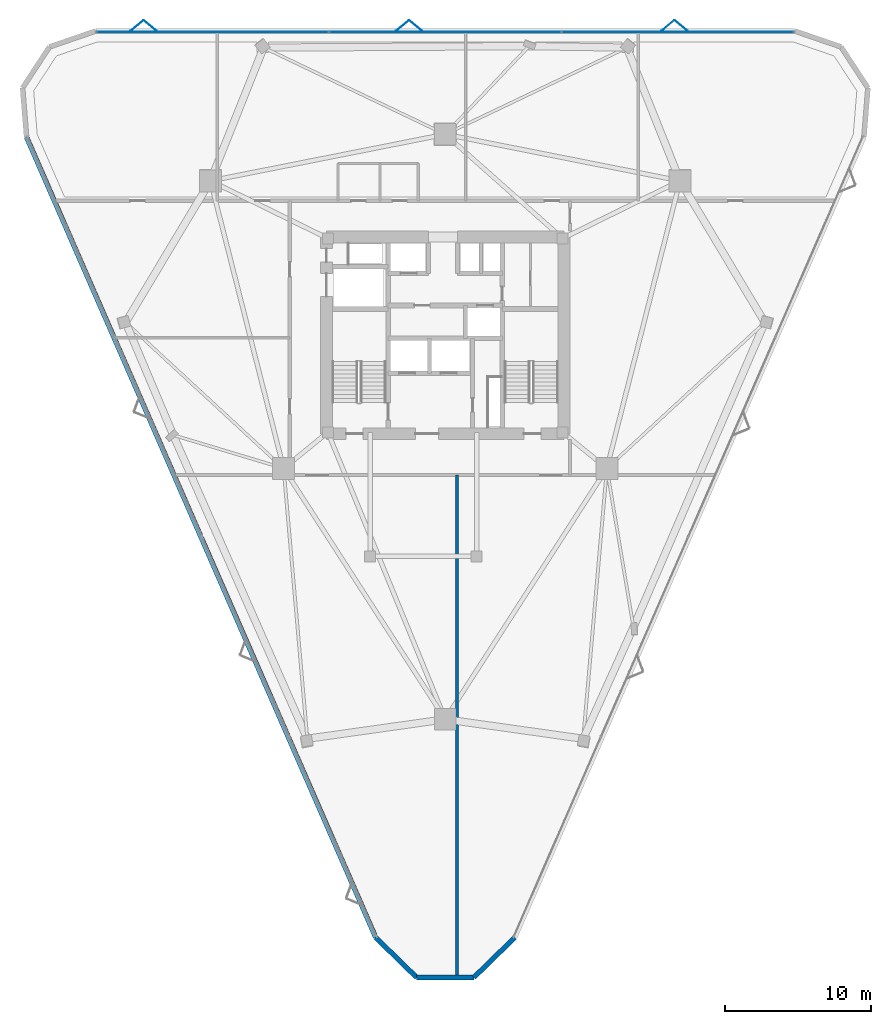
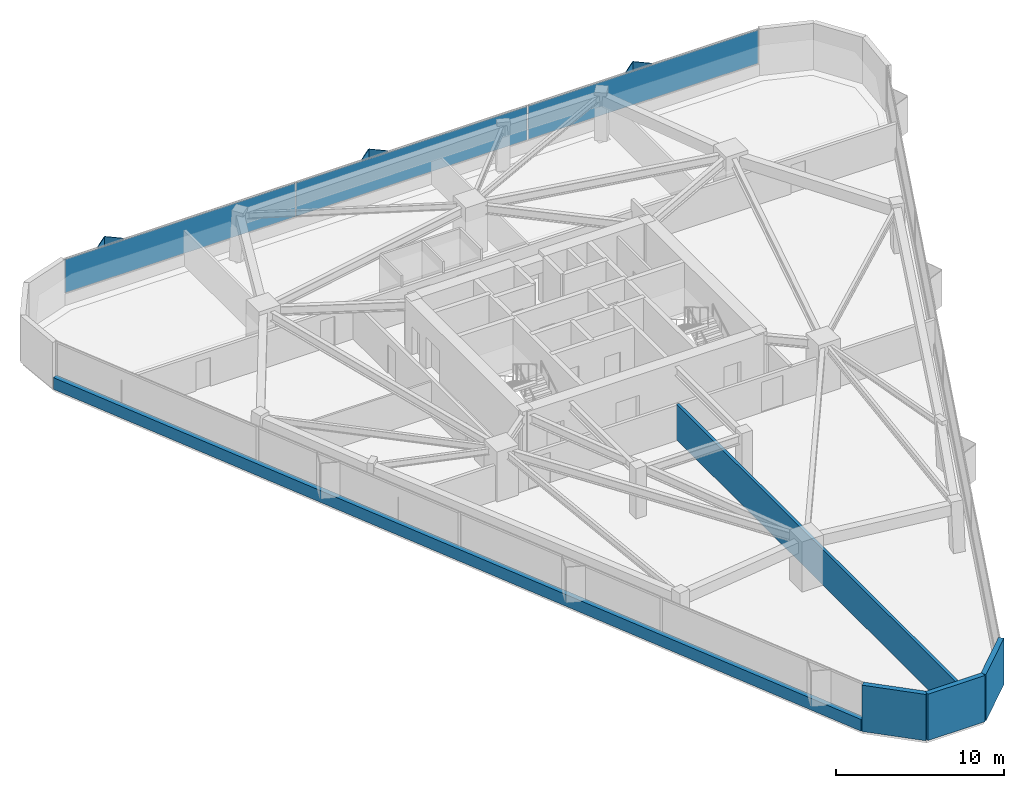
# One storey, part 11 of 16: 9 plates, 5 walls, 1 element without a shape of its own.
"""IFC4 building model written with IfcOpenShell, lengths in metres."""

from ifc_helpers import new_model, si_unit, direction, frame, frame_2d, origin, origin_2d, place, context, subcontext, project, spatial, rectangle, extrude, material, layer, layer_set, type_object, element, aggregate, save


model = new_model("IFC4")

# Units and contexts
model_context = context("Model", 3, precision=1e-05, world=origin(), true_north=direction((0.0, 1.0)))
body_context = subcontext(model_context, "Body", "Model", "MODEL_VIEW")
ifc_project = project(units=[si_unit("LENGTHUNIT", "METRE"), si_unit("AREAUNIT", "SQUARE_METRE"), si_unit("VOLUMEUNIT", "CUBIC_METRE"), si_unit("PLANEANGLEUNIT", "RADIAN"), si_unit("MASSUNIT", "GRAM", prefix="KILO")], contexts=[model_context])

# Site, building, storey
site_placement = place(None, origin())
site = spatial("IfcSite", under=ifc_project, at=site_placement, CompositionType="ELEMENT")
building_placement = place(site_placement, origin())
building = spatial("IfcBuilding", under=site, at=building_placement, Name="Talyreon Biosciences Tower", CompositionType="ELEMENT")
storey_placement = place(building_placement, frame((0.0, 0.0, 134.5)))
storey = spatial("IfcBuildingStorey", under=building, at=storey_placement, Name="L35", CompositionType="ELEMENT", Elevation=134.5)

# Curtain wall, plates
ifc_material_1 = material(Name="Thermally broken aluminium and low-E glazing", Category="aluminium")
ifc_layer_1 = layer(ifc_material_1, 0.18505859375)
ifc_layer_set_1 = layer_set([ifc_layer_1], Name="Thermally broken aluminium and low-E glazing")
curtain_wall_type = type_object("IfcCurtainWallType", Name="CurtainWall_Zone3Bioprocess", PredefinedType="NOTDEFINED", material=ifc_layer_set_1)
curtain_wall_placement = place(storey_placement, origin())
curtain_wall = element("IfcCurtainWall", 1, at=curtain_wall_placement, inside=storey, type_object=curtain_wall_type, Name="L35 Unitised Curtain Wall FCW-L35-04", PredefinedType="NOTDEFINED")
ifc_material_2 = material(Name="Triple-silver low-E insulated glazing", Category="glass")
ifc_layer_2 = layer(ifc_material_2, 0.031982421875)
ifc_layer_set_2 = layer_set([ifc_layer_2], Name="Triple-silver low-E insulated glazing")
plate_type_1 = type_object("IfcPlateType", Name="CWGlazingPanel_32", PredefinedType="CURTAIN_PANEL", material=ifc_layer_set_2)
plate_1_placement = place(storey_placement, frame((50.04443359375, 88.80615234375, 0.875), z_axis=(0.0, 0.0, 1.0), x_axis=(1.0, 0.0, 0.0)))
plate_1 = element("IfcPlate", 2, at=plate_1_placement, type_object=plate_type_1, Name="CW4 panel 1.1", PredefinedType="CURTAIN_PANEL", context=body_context, shape_type="SweptSolid", body=[
    extrude(rectangle(XDim=15.874267578125, YDim=0.031982421875, at=origin_2d()), origin(), (0.0, 0.0, 1.0), 2.43505859375),
])
plate_2_placement = place(storey_placement, frame((66.0, 88.80615234375, 0.875), z_axis=(0.0, 0.0, 1.0), x_axis=(1.0, 0.0, 0.0)))
plate_2 = element("IfcPlate", 3, at=plate_2_placement, type_object=plate_type_1, Name="CW4 panel 2.1", PredefinedType="CURTAIN_PANEL", context=body_context, shape_type="SweptSolid", body=[
    extrude(rectangle(XDim=15.90673828125, YDim=0.031982421875, at=origin_2d()), origin(), (0.0, 0.0, 1.0), 2.43505859375),
])
plate_3_placement = place(storey_placement, frame((81.95556640625, 88.80615234375, 0.875), z_axis=(0.0, 0.0, 1.0), x_axis=(1.0, 0.0, 0.0)))
plate_3 = element("IfcPlate", 4, at=plate_3_placement, type_object=plate_type_1, Name="CW4 panel 3.1", PredefinedType="CURTAIN_PANEL", context=body_context, shape_type="SweptSolid", body=[
    extrude(rectangle(XDim=15.874267578125, YDim=0.031982421875, at=origin_2d()), origin(), (0.0, 0.0, 1.0), 2.43505859375),
])
aggregate(curtain_wall, [plate_1, plate_2, plate_3])

# Plates
ifc_material_3 = material(Name="Ivory GFRC sunshade panel", Category="concrete")
ifc_layer_3 = layer(ifc_material_3, 0.044921875)
ifc_layer_set_3 = layer_set([ifc_layer_3], Name="Ivory GFRC sunshade panel")
plate_type_2 = type_object("IfcPlateType", Name="FoldedVSunshade_NorthFace_SUNSHADE", PredefinedType="USERDEFINED", material=ifc_layer_set_3)
for number, where, z_axis, x_axis, name in (
    (5, (44.8623046875, 89.24609375, 0.7900390625), (0.0, 0.0, 1.0), (0.771624583388, 0.636078220278, 0.0), "L35 Folded V-Sunshade Panel 04.01L"),
    (6, (45.76220703125, 89.24609375, 0.7900390625), (0.0, 0.0, 1.0), (0.771624583388, -0.636078220278, 0.0), "L35 Folded V-Sunshade Panel 04.01R"),
    (7, (63.062255859375, 89.24609375, 0.7900390625), (0.0, 0.0, 1.0), (0.771624583388, 0.636078220278, 0.0), "L35 Folded V-Sunshade Panel 04.02L"),
    (8, (63.96240234375, 89.24609375, 0.7900390625), (0.0, 0.0, 1.0), (0.771624583388, -0.636078220278, 0.0), "L35 Folded V-Sunshade Panel 04.02R"),
    (9, (81.26220703125, 89.24609375, 0.7900390625), (0.0, 0.0, 1.0), (0.771624583388, 0.636078220278, 0.0), "L35 Folded V-Sunshade Panel 04.03L"),
    (10, (82.162353515625, 89.24609375, 0.7900390625), (0.0, 0.0, 1.0), (0.771624583388, -0.636078220278, 0.0), "L35 Folded V-Sunshade Panel 04.03R"),
):
    element("IfcPlate", number, at=place(storey_placement, frame(where, z_axis=z_axis, x_axis=x_axis)), inside=storey, type_object=plate_type_2, Name=name, ObjectType="SUNSHADE", PredefinedType="USERDEFINED", context=body_context, shape_type="SweptSolid", body=[
        extrude(rectangle(XDim=1.14990234375, YDim=0.044921875, at=origin_2d()), origin(), (0.0, 0.0, 1.0), 2.5849609375),
    ])

# Walls
ifc_material_4 = material(Name="Gypsum fireboard acoustic stud", Category="gypsum")
ifc_layer_4 = layer(ifc_material_4, 0.199951171875)
ifc_layer_set_4 = layer_set([ifc_layer_4], Name="Gypsum fireboard acoustic stud")
wall_type_1 = type_object("IfcWallType", Name="ChemControlPartition_200", PredefinedType="PARTITIONING", material=ifc_layer_set_4)
wall_1_placement = place(storey_placement, frame((66.800048828125, 24.04150390625, 0.0), z_axis=(0.0, 0.0, 1.0), x_axis=(0.0, 1.0, 0.0)))
element("IfcWall", 11, at=wall_1_placement, inside=storey, type_object=wall_type_1, Name="L35 Interior Wall IW-L35-SDIV1", PredefinedType="PARTITIONING", context=body_context, shape_type="SweptSolid", body=[
    extrude(rectangle(XDim=34.37841796875, YDim=0.199951171875, at=frame_2d((17.189208984375, 0.0))), origin(), (0.0, 0.0, 1.0), 2.574951171875),
])
ifc_material_5 = material(Name="Precast concrete C45/55", Category="concrete")
ifc_layer_5 = layer(ifc_material_5, 0.340087890625)
ifc_layer_set_5 = layer_set([ifc_layer_5], Name="Precast concrete C45/55")
wall_type_2 = type_object("IfcWallType", Name="PrecastConcreteSpandrelWall_340", PredefinedType="STANDARD", material=ifc_layer_set_5)
wall_2_placement = place(storey_placement, frame((61.23388671875, 26.693603515625, 0.0), z_axis=(0.0, 0.0, 1.0), x_axis=(-0.399884020411, 0.916565747898, 0.0)))
element("IfcWall", 12, at=wall_2_placement, inside=storey, type_object=wall_type_2, Name="L35 Expressed Concrete Sill Wall 00", PredefinedType="STANDARD", context=body_context, shape_type="SweptSolid", body=[
    extrude(rectangle(XDim=59.911865234375, YDim=0.340087890625, at=frame_2d((29.9560546875, 0.0))), origin(), (0.0, 0.0, 1.0), 0.85009765625),
])
for number, where, z_axis, x_axis, name in (
    (13, (70.76611328125, 26.693603515625, 0.0), (0.0, 0.0, 1.0), (-0.715864707073, -0.698239014355, 0.0), "L35 Rounded-Corner Concrete Pier 09"),
    (14, (67.9599609375, 23.95654296875, 0.0), (0.0, 0.0, 1.0), (-1.0, 0.0, 0.0), "L35 Rounded-Corner Concrete Pier 10"),
    (15, (64.0400390625, 23.95654296875, 0.0), (0.0, 0.0, 1.0), (-0.715864707073, 0.698239014355, 0.0), "L35 Rounded-Corner Concrete Pier 11"),
):
    element("IfcWall", number, at=place(storey_placement, frame(where, z_axis=z_axis, x_axis=x_axis)), inside=storey, type_object=wall_type_2, Name=name, PredefinedType="STANDARD", context=body_context, shape_type="SweptSolid", body=[
        extrude(rectangle(XDim=3.919921875, YDim=0.340087890625, at=frame_2d((1.9599609375, 0.0))), origin(), (0.0, 0.0, 1.0), 3.375),
    ])

save(model, "model.ifc")
